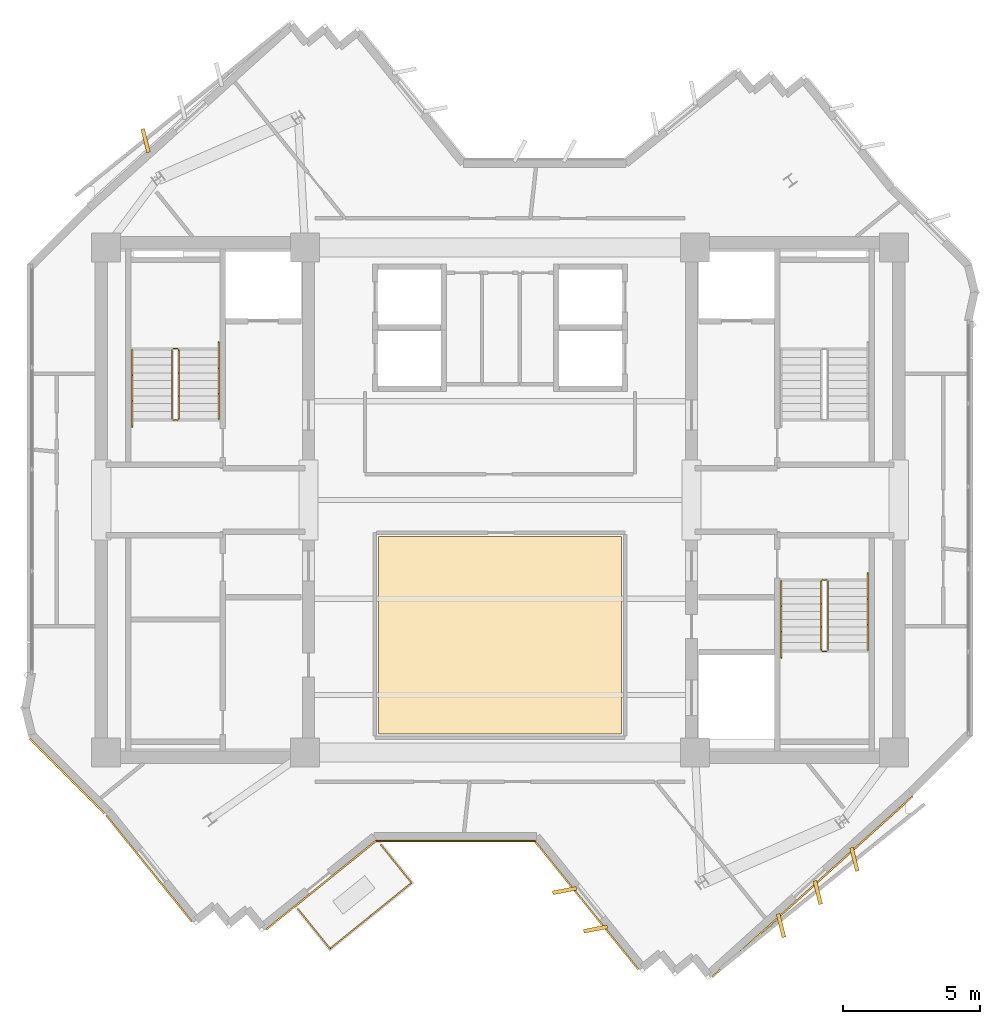
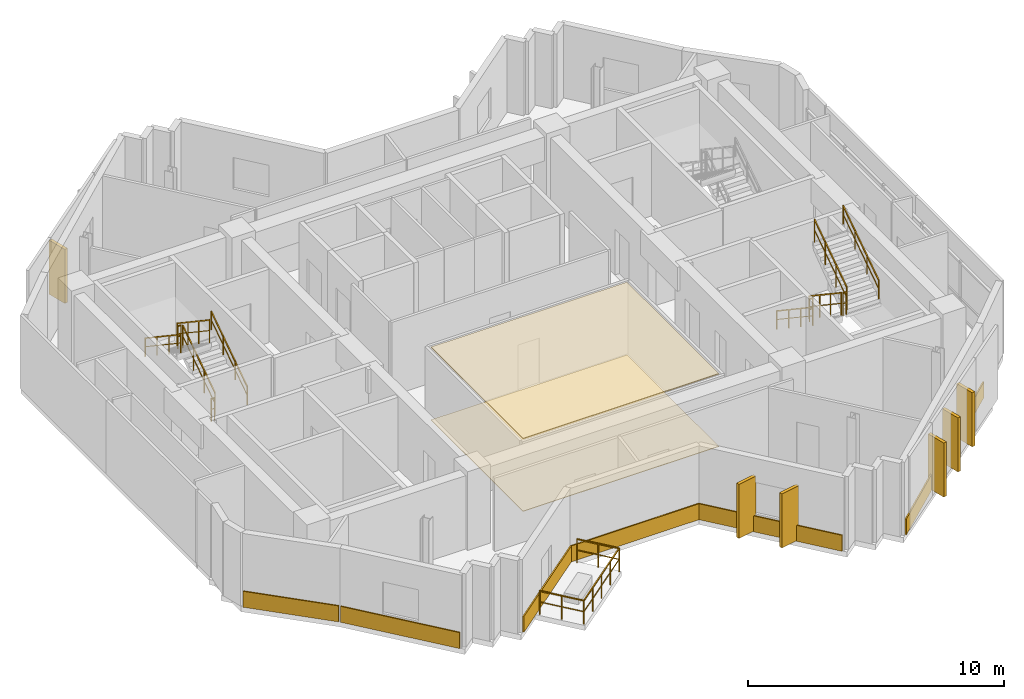
# One storey, part 10 of 11: 15 railings, 14 coverings.
"""IFC4 building model written with IfcOpenShell, lengths in metres."""

from ifc_helpers import new_model, si_unit, direction, frame, origin, origin_2d, place, context, subcontext, project, spatial, polyline, rectangle, outline, extrude, source, transform, mapped, material, layer, layer_set, type_object, element, save


model = new_model("IFC4")

# Units and contexts
model_context = context("Model", 3, precision=1e-05, world=origin(), true_north=direction((0.0, 1.0)))
body_context = subcontext(model_context, "Body", "Model", "MODEL_VIEW")
ifc_project = project(units=[si_unit("LENGTHUNIT", "METRE"), si_unit("AREAUNIT", "SQUARE_METRE"), si_unit("VOLUMEUNIT", "CUBIC_METRE"), si_unit("PLANEANGLEUNIT", "RADIAN"), si_unit("MASSUNIT", "GRAM", prefix="KILO")], contexts=[model_context])

# Site, building, storey
site_placement = place(None, origin())
site = spatial("IfcSite", under=ifc_project, at=site_placement, CompositionType="ELEMENT")
building_placement = place(site_placement, origin())
building = spatial("IfcBuilding", under=site, at=building_placement, Name="Zahravan Cultural Tower", CompositionType="ELEMENT")
storey_placement = place(building_placement, frame((0.0, 0.0, 284.10009765625)))
storey = spatial("IfcBuildingStorey", under=building, at=storey_placement, Name="L68", CompositionType="ELEMENT", Elevation=284.10009765625)

# Coverings
ifc_material_1 = material(Name="Acoustic mineral fibreboard")
ifc_layer_1 = layer(ifc_material_1, 0.0400390625)
ifc_layer_set_1 = layer_set([ifc_layer_1], Name="Acoustic mineral fibreboard")
covering_type_1 = type_object("IfcCoveringType", Name="COV-CEIL-AC20", PredefinedType="CEILING", material=ifc_layer_set_1)
covering_1_placement = place(storey_placement, frame((0.0, 0.0, 3.4599609375)))
element("IfcCovering", 1, at=covering_1_placement, inside=storey, type_object=covering_type_1, Name="L68 Acoustic Suspended Ceiling", PredefinedType="CEILING", context=body_context, shape_type="SweptSolid", body=[
    extrude(outline(polyline([(40.419921875, 25.669921875), (31.580078125, 25.669921875), (31.580078125, 18.47998046875), (40.419921875, 18.47998046875), (40.419921875, 25.669921875)])), origin(), (0.0, 0.0, 1.0), 0.0400390625),
])
ifc_material_2 = material(Name="Terrazzo flooring")
ifc_layer_2 = layer(ifc_material_2, 0.02490234375)
ifc_layer_set_2 = layer_set([ifc_layer_2], Name="Terrazzo flooring")
covering_type_2 = type_object("IfcCoveringType", Name="COV-FLR-TZ25", PredefinedType="FLOORING", material=ifc_layer_set_2)
covering_2_placement = place(storey_placement, origin())
element("IfcCovering", 2, at=covering_2_placement, inside=storey, type_object=covering_type_2, Name="L68 Polished Terrazzo Flooring", PredefinedType="FLOORING", context=body_context, shape_type="SweptSolid", body=[
    extrude(outline(polyline([(40.419921875, 25.669921875), (31.580078125, 25.669921875), (31.580078125, 18.47998046875), (40.419921875, 18.47998046875), (40.419921875, 25.669921875)])), origin(), (0.0, 0.0, 1.0), 0.02490234375),
])

# Railings
ifc_material_3 = material(Name="Steel ASTM A572 Grade 50", Category="steel")
railing_type_1 = type_object("IfcRailingType", Name="RL-BAL-1150", PredefinedType="BALUSTRADE", material=ifc_material_3)
railing_1_placement = place(storey_placement, frame((32.7783203125, 13.050048828125, 0.0)))
element("IfcRailing", 3, at=railing_1_placement, inside=storey, type_object=railing_type_1, Name="L68 Edge Balustrade GRD-TR-L68-SW-01", PredefinedType="BALUSTRADE", context=body_context, shape_type="SweptSolid", body=[
    extrude(rectangle(XDim=0.05, YDim=0.05, at=origin_2d()), frame((0.0, 0.0, 1.125), z_axis=(-0.778086541309, -0.628157093595, 0.0), x_axis=(0.628157093595, -0.778086541309, 0.0)), (0.0, 0.0, 1.0), 3.820068359375),
    extrude(rectangle(XDim=0.032, YDim=0.032, at=origin_2d()), frame((0.0, 0.0, 0.597900390625), z_axis=(-0.778086541309, -0.628157093595, 0.0), x_axis=(0.628157093595, -0.778086541309, 0.0)), (0.0, 0.0, 1.0), 3.820068359375),
    extrude(rectangle(XDim=0.04, YDim=0.04, at=origin_2d()), origin(), (0.0, 0.0, 1.0), 1.14990234375),
    extrude(rectangle(XDim=0.04, YDim=0.04, at=origin_2d()), frame((-0.7431640625, -0.599853515625, 0.0)), (0.0, 0.0, 1.0), 1.14990234375),
    extrude(rectangle(XDim=0.04, YDim=0.04, at=origin_2d()), frame((-1.486328125, -1.19970703125, 0.0)), (0.0, 0.0, 1.0), 1.14990234375),
    extrude(rectangle(XDim=0.04, YDim=0.04, at=origin_2d()), frame((-2.229248046875, -1.7998046875, 0.0)), (0.0, 0.0, 1.0), 1.14990234375),
    extrude(rectangle(XDim=0.04, YDim=0.04, at=origin_2d()), frame((-2.972412109375, -2.399658203125, 0.0)), (0.0, 0.0, 1.0), 1.14990234375),
])
railing_2_placement = place(storey_placement, frame((29.805908203125, 10.650390625, 0.0)))
element("IfcRailing", 4, at=railing_2_placement, inside=storey, type_object=railing_type_1, Name="L68 Edge Balustrade GRD-TR-L68-SW-02", PredefinedType="BALUSTRADE", context=body_context, shape_type="SweptSolid", body=[
    extrude(rectangle(XDim=0.05, YDim=0.05, at=origin_2d()), frame((0.0, 0.0, 1.125), z_axis=(-0.628229578513, 0.778028017928, 0.0), x_axis=(-0.778028017928, -0.628229578513, 0.0)), (0.0, 0.0, 1.0), 1.849853515625),
    extrude(rectangle(XDim=0.032, YDim=0.032, at=origin_2d()), frame((0.0, 0.0, 0.597900390625), z_axis=(-0.628229578513, 0.778028017928, 0.0), x_axis=(-0.778028017928, -0.628229578513, 0.0)), (0.0, 0.0, 1.0), 1.849853515625),
    extrude(rectangle(XDim=0.04, YDim=0.04, at=origin_2d()), origin(), (0.0, 0.0, 1.0), 1.14990234375),
    extrude(rectangle(XDim=0.04, YDim=0.04, at=origin_2d()), frame((-0.5810546875, 0.7197265625, 0.0)), (0.0, 0.0, 1.0), 1.14990234375),
    extrude(rectangle(XDim=0.04, YDim=0.04, at=origin_2d()), frame((-1.162109375, 1.439208984375, 0.0)), (0.0, 0.0, 1.0), 1.14990234375),
])
railing_3_placement = place(storey_placement, frame((31.672119140625, 14.419921875, 0.0)))
element("IfcRailing", 5, at=railing_3_placement, inside=storey, type_object=railing_type_1, Name="L68 Edge Balustrade GRD-TR-L68-SW-03", PredefinedType="BALUSTRADE", context=body_context, shape_type="SweptSolid", body=[
    extrude(rectangle(XDim=0.05, YDim=0.05, at=origin_2d()), frame((0.0, 0.0, 1.125), z_axis=(0.628256416803, -0.778006346211, 0.0), x_axis=(0.778006346211, 0.628256416803, 0.0)), (0.0, 0.0, 1.0), 1.7607421875),
    extrude(rectangle(XDim=0.032, YDim=0.032, at=origin_2d()), frame((0.0, 0.0, 0.597900390625), z_axis=(0.628256416803, -0.778006346211, 0.0), x_axis=(0.778006346211, 0.628256416803, 0.0)), (0.0, 0.0, 1.0), 1.7607421875),
    extrude(rectangle(XDim=0.04, YDim=0.04, at=origin_2d()), origin(), (0.0, 0.0, 1.0), 1.14990234375),
    extrude(rectangle(XDim=0.04, YDim=0.04, at=origin_2d()), frame((0.55322265625, -0.68505859375, 0.0)), (0.0, 0.0, 1.0), 1.14990234375),
    extrude(rectangle(XDim=0.04, YDim=0.04, at=origin_2d()), frame((1.106201171875, -1.369873046875, 0.0)), (0.0, 0.0, 1.0), 1.14990234375),
])
railing_type_2 = type_object("IfcRailingType", Name="RL-STAIR-GRD1150", PredefinedType="BALUSTRADE", material=ifc_material_3)
railing_4_placement = place(storey_placement, frame((24.300048828125, 29.949951171875, 0.1875)))
element("IfcRailing", 6, at=railing_4_placement, inside=storey, type_object=railing_type_2, Name="L68 ST-W1 stair guard 1", PredefinedType="BALUSTRADE", context=body_context, shape_type="SweptSolid", body=[
    extrude(rectangle(XDim=0.05, YDim=0.05, at=origin_2d()), frame((0.0, 0.0, 1.0751953125), z_axis=(0.0, 0.830909170722, 0.55640807867), x_axis=(-1.0, 0.0, 0.0)), (0.0, 0.0, 1.0), 3.032958984375),
    extrude(rectangle(XDim=0.032, YDim=0.032, at=origin_2d()), frame((0.0, 0.0, 0.572021484375), z_axis=(0.0, 0.830909170722, 0.55640807867), x_axis=(-1.0, 0.0, 0.0)), (0.0, 0.0, 1.0), 3.032958984375),
    extrude(rectangle(XDim=0.04, YDim=0.04, at=origin_2d()), origin(), (0.0, 0.0, 1.0), 1.10009765625),
    extrude(rectangle(XDim=0.04, YDim=0.04, at=origin_2d()), frame((0.0, 0.840087890625, 0.5625)), (0.0, 0.0, 1.0), 1.10009765625),
    extrude(rectangle(XDim=0.04, YDim=0.04, at=origin_2d()), frame((0.0, 1.679931640625, 1.125)), (0.0, 0.0, 1.0), 1.10009765625),
    extrude(rectangle(XDim=0.04, YDim=0.04, at=origin_2d()), frame((0.0, 2.52001953125, 1.6875)), (0.0, 0.0, 1.0), 1.10009765625),
])
railing_5_placement = place(storey_placement, frame((24.25, 32.52001953125, 1.875)))
element("IfcRailing", 7, at=railing_5_placement, inside=storey, type_object=railing_type_2, Name="L68 ST-W1 stair guard 2", PredefinedType="BALUSTRADE", context=body_context, shape_type="SweptSolid", body=[
    extrude(rectangle(XDim=0.05, YDim=0.05, at=origin_2d()), frame((0.0, 0.0, 1.0751953125), z_axis=(-1.0, 0.0, 0.0), x_axis=(0.0, -1.0, 0.0)), (0.0, 0.0, 1.0), 0.14990234375),
    extrude(rectangle(XDim=0.032, YDim=0.032, at=origin_2d()), frame((0.0, 0.0, 0.572021484375), z_axis=(-1.0, 0.0, 0.0), x_axis=(0.0, -1.0, 0.0)), (0.0, 0.0, 1.0), 0.14990234375),
    extrude(rectangle(XDim=0.04, YDim=0.04, at=origin_2d()), origin(), (0.0, 0.0, 1.0), 1.10009765625),
    extrude(rectangle(XDim=0.04, YDim=0.04, at=origin_2d()), frame((-0.14990234375, 0.0, 0.0)), (0.0, 0.0, 1.0), 1.10009765625),
])
railing_6_placement = place(storey_placement, frame((24.050048828125, 32.469970703125, 2.0625)))
element("IfcRailing", 8, at=railing_6_placement, inside=storey, type_object=railing_type_2, Name="L68 ST-W1 stair guard 3", PredefinedType="BALUSTRADE", context=body_context, shape_type="SweptSolid", body=[
    extrude(rectangle(XDim=0.05, YDim=0.05, at=origin_2d()), frame((0.0, 0.0, 1.0751953125), z_axis=(0.0, -0.830909170722, 0.55640807867), x_axis=(1.0, 0.0, 0.0)), (0.0, 0.0, 1.0), 3.032958984375),
    extrude(rectangle(XDim=0.032, YDim=0.032, at=origin_2d()), frame((0.0, 0.0, 0.572021484375), z_axis=(0.0, -0.830909170722, 0.55640807867), x_axis=(1.0, 0.0, 0.0)), (0.0, 0.0, 1.0), 3.032958984375),
    extrude(rectangle(XDim=0.04, YDim=0.04, at=origin_2d()), origin(), (0.0, 0.0, 1.0), 1.10009765625),
    extrude(rectangle(XDim=0.04, YDim=0.04, at=origin_2d()), frame((0.0, -0.840087890625, 0.5625)), (0.0, 0.0, 1.0), 1.10009765625),
    extrude(rectangle(XDim=0.04, YDim=0.04, at=origin_2d()), frame((0.0, -1.679931640625, 1.125)), (0.0, 0.0, 1.0), 1.10009765625),
    extrude(rectangle(XDim=0.04, YDim=0.04, at=origin_2d()), frame((0.0, -2.52001953125, 1.6875)), (0.0, 0.0, 1.0), 1.10009765625),
])
railing_7_placement = place(storey_placement, frame((24.25, 29.89990234375, 0.0)))
element("IfcRailing", 9, at=railing_7_placement, inside=storey, type_object=railing_type_2, Name="L68 ST-W1 stair guard 4", PredefinedType="BALUSTRADE", context=body_context, shape_type="SweptSolid", body=[
    extrude(rectangle(XDim=0.05, YDim=0.05, at=origin_2d()), frame((0.0, 0.0, 1.0751953125), z_axis=(-1.0, 0.0, 0.0), x_axis=(0.0, -1.0, 0.0)), (0.0, 0.0, 1.0), 0.14990234375),
    extrude(rectangle(XDim=0.032, YDim=0.032, at=origin_2d()), frame((0.0, 0.0, 0.572021484375), z_axis=(-1.0, 0.0, 0.0), x_axis=(0.0, -1.0, 0.0)), (0.0, 0.0, 1.0), 0.14990234375),
    extrude(rectangle(XDim=0.04, YDim=0.04, at=origin_2d()), origin(), (0.0, 0.0, 1.0), 1.10009765625),
    extrude(rectangle(XDim=0.04, YDim=0.04, at=origin_2d()), frame((-0.14990234375, 0.0, 0.0)), (0.0, 0.0, 1.0), 1.10009765625),
])
railing_8_placement = place(storey_placement, frame((47.699951171875, 24.050048828125, 0.1875)))
element("IfcRailing", 10, at=railing_8_placement, inside=storey, type_object=railing_type_2, Name="L68 ST-E2 stair guard 1", PredefinedType="BALUSTRADE", context=body_context, shape_type="SweptSolid", body=[
    extrude(rectangle(XDim=0.05, YDim=0.05, at=origin_2d()), frame((0.0, 0.0, 1.0751953125), z_axis=(0.0, -0.830909170722, 0.55640807867), x_axis=(1.0, 0.0, 0.0)), (0.0, 0.0, 1.0), 3.032958984375),
    extrude(rectangle(XDim=0.032, YDim=0.032, at=origin_2d()), frame((0.0, 0.0, 0.572021484375), z_axis=(0.0, -0.830909170722, 0.55640807867), x_axis=(1.0, 0.0, 0.0)), (0.0, 0.0, 1.0), 3.032958984375),
    extrude(rectangle(XDim=0.04, YDim=0.04, at=origin_2d()), origin(), (0.0, 0.0, 1.0), 1.10009765625),
    extrude(rectangle(XDim=0.04, YDim=0.04, at=origin_2d()), frame((0.0, -0.840087890625, 0.5625)), (0.0, 0.0, 1.0), 1.10009765625),
    extrude(rectangle(XDim=0.04, YDim=0.04, at=origin_2d()), frame((0.0, -1.679931640625, 1.125)), (0.0, 0.0, 1.0), 1.10009765625),
    extrude(rectangle(XDim=0.04, YDim=0.04, at=origin_2d()), frame((0.0, -2.52001953125, 1.6875)), (0.0, 0.0, 1.0), 1.10009765625),
])
railing_9_placement = place(storey_placement, frame((47.75, 21.47998046875, 1.875)))
element("IfcRailing", 11, at=railing_9_placement, inside=storey, type_object=railing_type_2, Name="L68 ST-E2 stair guard 2", PredefinedType="BALUSTRADE", context=body_context, shape_type="SweptSolid", body=[
    extrude(rectangle(XDim=0.05, YDim=0.05, at=origin_2d()), frame((0.0, 0.0, 1.0751953125), z_axis=(1.0, 0.0, 0.0), x_axis=(0.0, 1.0, 0.0)), (0.0, 0.0, 1.0), 0.14990234375),
    extrude(rectangle(XDim=0.032, YDim=0.032, at=origin_2d()), frame((0.0, 0.0, 0.572021484375), z_axis=(1.0, 0.0, 0.0), x_axis=(0.0, 1.0, 0.0)), (0.0, 0.0, 1.0), 0.14990234375),
    extrude(rectangle(XDim=0.04, YDim=0.04, at=origin_2d()), origin(), (0.0, 0.0, 1.0), 1.10009765625),
    extrude(rectangle(XDim=0.04, YDim=0.04, at=origin_2d()), frame((0.14990234375, 0.0, 0.0)), (0.0, 0.0, 1.0), 1.10009765625),
])
railing_10_placement = place(storey_placement, frame((47.949951171875, 21.530029296875, 2.0625)))
element("IfcRailing", 12, at=railing_10_placement, inside=storey, type_object=railing_type_2, Name="L68 ST-E2 stair guard 3", PredefinedType="BALUSTRADE", context=body_context, shape_type="SweptSolid", body=[
    extrude(rectangle(XDim=0.05, YDim=0.05, at=origin_2d()), frame((0.0, 0.0, 1.0751953125), z_axis=(0.0, 0.830909170722, 0.55640807867), x_axis=(-1.0, 0.0, 0.0)), (0.0, 0.0, 1.0), 3.032958984375),
    extrude(rectangle(XDim=0.032, YDim=0.032, at=origin_2d()), frame((0.0, 0.0, 0.572021484375), z_axis=(0.0, 0.830909170722, 0.55640807867), x_axis=(-1.0, 0.0, 0.0)), (0.0, 0.0, 1.0), 3.032958984375),
    extrude(rectangle(XDim=0.04, YDim=0.04, at=origin_2d()), origin(), (0.0, 0.0, 1.0), 1.10009765625),
    extrude(rectangle(XDim=0.04, YDim=0.04, at=origin_2d()), frame((0.0, 0.840087890625, 0.5625)), (0.0, 0.0, 1.0), 1.10009765625),
    extrude(rectangle(XDim=0.04, YDim=0.04, at=origin_2d()), frame((0.0, 1.679931640625, 1.125)), (0.0, 0.0, 1.0), 1.10009765625),
    extrude(rectangle(XDim=0.04, YDim=0.04, at=origin_2d()), frame((0.0, 2.52001953125, 1.6875)), (0.0, 0.0, 1.0), 1.10009765625),
])
railing_11_placement = place(storey_placement, frame((47.75, 24.10009765625, 0.0)))
element("IfcRailing", 13, at=railing_11_placement, inside=storey, type_object=railing_type_2, Name="L68 ST-E2 stair guard 4", PredefinedType="BALUSTRADE", context=body_context, shape_type="SweptSolid", body=[
    extrude(rectangle(XDim=0.05, YDim=0.05, at=origin_2d()), frame((0.0, 0.0, 1.0751953125), z_axis=(1.0, 0.0, 0.0), x_axis=(0.0, 1.0, 0.0)), (0.0, 0.0, 1.0), 0.14990234375),
    extrude(rectangle(XDim=0.032, YDim=0.032, at=origin_2d()), frame((0.0, 0.0, 0.572021484375), z_axis=(1.0, 0.0, 0.0), x_axis=(0.0, 1.0, 0.0)), (0.0, 0.0, 1.0), 0.14990234375),
    extrude(rectangle(XDim=0.04, YDim=0.04, at=origin_2d()), origin(), (0.0, 0.0, 1.0), 1.10009765625),
    extrude(rectangle(XDim=0.04, YDim=0.04, at=origin_2d()), frame((0.14990234375, 0.0, 0.0)), (0.0, 0.0, 1.0), 1.10009765625),
])
railing_type_3 = type_object("IfcRailingType", Name="RL-STAIR-HR900", PredefinedType="HANDRAIL", material=ifc_material_3)
railing_12_placement = place(storey_placement, frame((25.75, 29.949951171875, 0.1875)))
element("IfcRailing", 14, at=railing_12_placement, inside=storey, type_object=railing_type_3, Name="L68 ST-W1 stair handrail 1", PredefinedType="HANDRAIL", context=body_context, shape_type="SweptSolid", body=[
    extrude(rectangle(XDim=0.05, YDim=0.05, at=origin_2d()), frame((0.0, 0.0, 0.875), z_axis=(0.0, 0.830911662861, 0.55640435703), x_axis=(-1.0, 0.0, 0.0)), (0.0, 0.0, 1.0), 3.369873046875),
    extrude(rectangle(XDim=0.032, YDim=0.032, at=origin_2d()), frame((0.0, 0.0, 0.468017578125), z_axis=(0.0, 0.830911662861, 0.55640435703), x_axis=(-1.0, 0.0, 0.0)), (0.0, 0.0, 1.0), 3.369873046875),
    extrude(rectangle(XDim=0.04, YDim=0.04, at=origin_2d()), origin(), (0.0, 0.0, 1.0), 0.89990234375),
    extrude(rectangle(XDim=0.04, YDim=0.04, at=origin_2d()), frame((0.0, 0.933349609375, 0.625)), (0.0, 0.0, 1.0), 0.89990234375),
    extrude(rectangle(XDim=0.04, YDim=0.04, at=origin_2d()), frame((0.0, 1.86669921875, 1.25)), (0.0, 0.0, 1.0), 0.89990234375),
    extrude(rectangle(XDim=0.04, YDim=0.04, at=origin_2d()), frame((0.0, 2.800048828125, 1.875)), (0.0, 0.0, 1.0), 0.89990234375),
])
for number, where, name in (
    (15, (22.60009765625, 32.469970703125, 2.0625), "L68 ST-W1 stair handrail 2"),
    (16, (46.25, 24.050048828125, 0.1875), "L68 ST-E2 stair handrail 1"),
):
    element("IfcRailing", number, at=place(storey_placement, frame(where)), inside=storey, type_object=railing_type_3, Name=name, PredefinedType="HANDRAIL", context=body_context, shape_type="SweptSolid", body=[
        extrude(rectangle(XDim=0.05, YDim=0.05, at=origin_2d()), frame((0.0, 0.0, 0.875), z_axis=(0.0, -0.830911662861, 0.55640435703), x_axis=(1.0, 0.0, 0.0)), (0.0, 0.0, 1.0), 3.369873046875),
        extrude(rectangle(XDim=0.032, YDim=0.032, at=origin_2d()), frame((0.0, 0.0, 0.468017578125), z_axis=(0.0, -0.830911662861, 0.55640435703), x_axis=(1.0, 0.0, 0.0)), (0.0, 0.0, 1.0), 3.369873046875),
        extrude(rectangle(XDim=0.04, YDim=0.04, at=origin_2d()), origin(), (0.0, 0.0, 1.0), 0.89990234375),
        extrude(rectangle(XDim=0.04, YDim=0.04, at=origin_2d()), frame((0.0, -0.933349609375, 0.625)), (0.0, 0.0, 1.0), 0.89990234375),
        extrude(rectangle(XDim=0.04, YDim=0.04, at=origin_2d()), frame((0.0, -1.86669921875, 1.25)), (0.0, 0.0, 1.0), 0.89990234375),
        extrude(rectangle(XDim=0.04, YDim=0.04, at=origin_2d()), frame((0.0, -2.800048828125, 1.875)), (0.0, 0.0, 1.0), 0.89990234375),
    ])
railing_13_placement = place(storey_placement, frame((49.39990234375, 21.530029296875, 2.0625)))
element("IfcRailing", 17, at=railing_13_placement, inside=storey, type_object=railing_type_3, Name="L68 ST-E2 stair handrail 2", PredefinedType="HANDRAIL", context=body_context, shape_type="SweptSolid", body=[
    extrude(rectangle(XDim=0.05, YDim=0.05, at=origin_2d()), frame((0.0, 0.0, 0.875), z_axis=(0.0, 0.830911662861, 0.55640435703), x_axis=(-1.0, 0.0, 0.0)), (0.0, 0.0, 1.0), 3.369873046875),
    extrude(rectangle(XDim=0.032, YDim=0.032, at=origin_2d()), frame((0.0, 0.0, 0.468017578125), z_axis=(0.0, 0.830911662861, 0.55640435703), x_axis=(-1.0, 0.0, 0.0)), (0.0, 0.0, 1.0), 3.369873046875),
    extrude(rectangle(XDim=0.04, YDim=0.04, at=origin_2d()), origin(), (0.0, 0.0, 1.0), 0.89990234375),
    extrude(rectangle(XDim=0.04, YDim=0.04, at=origin_2d()), frame((0.0, 0.933349609375, 0.625)), (0.0, 0.0, 1.0), 0.89990234375),
    extrude(rectangle(XDim=0.04, YDim=0.04, at=origin_2d()), frame((0.0, 1.86669921875, 1.25)), (0.0, 0.0, 1.0), 0.89990234375),
    extrude(rectangle(XDim=0.04, YDim=0.04, at=origin_2d()), frame((0.0, 2.800048828125, 1.875)), (0.0, 0.0, 1.0), 0.89990234375),
])

# Coverings
ifc_material_4 = material(Name="Terracotta ceramic cladding", Category="masonry")
ifc_layer_3 = layer(ifc_material_4, 0.06005859375)
ifc_layer_set_3 = layer_set([ifc_layer_3], Name="Terracotta ceramic cladding")
covering_type_3 = type_object("IfcCoveringType", Name="COV-CLAD-TC60", PredefinedType="CLADDING", material=ifc_layer_set_3)
shared_shape_1 = source(origin(), body_context, "Body", "SweptSolid", [
    extrude(rectangle(XDim=0.8798828125, YDim=0.139892578125, at=origin_2d()), origin(), (0.0, 0.0, 1.0), 2.580078125),
])
for number, where, z_axis, x_axis, name in (
    (18, (23.0869140625, 40.09375, 0.0498046875), (0.0, 0.0, 1.0), (-0.242751614931, 0.970088477124, 0.0), "L68 Herringbone Terracotta Fin 01"),
    (19, (48.9130859375, 13.90625, 0.0498046875), (0.0, 0.0, 1.0), (0.242751614931, -0.970088477124, 0.0), "L68 Herringbone Terracotta Fin 13"),
    (20, (47.57666015625, 12.70068359375, 0.0498046875), (0.0, 0.0, 1.0), (0.242751614931, -0.970088477124, 0.0), "L68 Herringbone Terracotta Fin 14"),
    (21, (46.239990234375, 11.4951171875, 0.0498046875), (0.0, 0.0, 1.0), (0.242751614931, -0.970088477124, 0.0), "L68 Herringbone Terracotta Fin 15"),
    (22, (39.482421875, 11.368408203125, 0.0498046875), (0.0, 0.0, 1.0), (-0.981902563727, -0.189386787677, 0.0), "L68 Herringbone Terracotta Fin 16"),
    (23, (38.351806640625, 12.768798828125, 0.0498046875), (0.0, 0.0, 1.0), (-0.981902563727, -0.189386787677, 0.0), "L68 Herringbone Terracotta Fin 17"),
):
    element("IfcCovering", number, at=place(storey_placement, frame(where, z_axis=z_axis, x_axis=x_axis)), inside=storey, type_object=covering_type_3, Name=name, PredefinedType="CLADDING", context=body_context, shape_type="MappedRepresentation", body=[
        mapped(shared_shape_1, transform((0.0, 0.0, 0.0), x_axis=(1.0, 0.0, 0.0), y_axis=(0.0, 1.0, 0.0), z_axis=(0.0, 0.0, 1.0), scale=1.0)),
    ])
shared_shape_2 = source(origin(), body_context, "Body", "SweptSolid", [
    extrude(rectangle(XDim=9.8349609375, YDim=0.06005859375, at=origin_2d()), origin(), (0.0, 0.0, 1.0), 0.760009765625),
])
covering_3_placement = place(storey_placement, frame((47.3857421875, 12.912353515625, 0.02001953125), z_axis=(0.0, 0.0, 1.0), x_axis=(-0.742572305706, -0.669765907462, 0.0)))
element("IfcCovering", 24, at=covering_3_placement, inside=storey, type_object=covering_type_3, Name="L68 Terracotta Spandrel Cladding 19", PredefinedType="CLADDING", context=body_context, shape_type="MappedRepresentation", body=[
    mapped(shared_shape_2, transform((0.0, 0.0, 0.0), x_axis=(1.0, 0.0, 0.0), y_axis=(0.0, 1.0, 0.0), z_axis=(0.0, 0.0, 1.0), scale=1.0)),
])
shared_shape_3 = source(origin(), body_context, "Body", "SweptSolid", [
    extrude(rectangle(XDim=6.0400390625, YDim=0.06005859375, at=origin_2d()), origin(), (0.0, 0.0, 1.0), 0.760009765625),
])
covering_4_placement = place(storey_placement, frame((39.138916015625, 12.247802734375, 0.02001953125), z_axis=(0.0, 0.0, 1.0), x_axis=(-0.628193939395, 0.778056793883, 0.0)))
element("IfcCovering", 25, at=covering_4_placement, inside=storey, type_object=covering_type_3, Name="L68 Terracotta Spandrel Cladding 24", PredefinedType="CLADDING", context=body_context, shape_type="MappedRepresentation", body=[
    mapped(shared_shape_3, transform((0.0, 0.0, 0.0), x_axis=(1.0, 0.0, 0.0), y_axis=(0.0, 1.0, 0.0), z_axis=(0.0, 0.0, 1.0), scale=1.0)),
])
shared_shape_4 = source(origin(), body_context, "Body", "SweptSolid", [
    extrude(rectangle(XDim=5.82177734375, YDim=0.06005859375, at=origin_2d()), origin(), (0.0, 0.0, 1.0), 0.760009765625),
])
covering_5_placement = place(storey_placement, frame((34.3779296875, 14.574951171875, 0.02001953125), z_axis=(0.0, 0.0, 1.0), x_axis=(-1.0, 0.0, 0.0)))
element("IfcCovering", 26, at=covering_5_placement, inside=storey, type_object=covering_type_3, Name="L68 Terracotta Spandrel Cladding 25", PredefinedType="CLADDING", context=body_context, shape_type="MappedRepresentation", body=[
    mapped(shared_shape_4, transform((0.0, 0.0, 0.0), x_axis=(1.0, 0.0, 0.0), y_axis=(0.0, 1.0, 0.0), z_axis=(0.0, 0.0, 1.0), scale=1.0)),
])
shared_shape_5 = source(origin(), body_context, "Body", "SweptSolid", [
    extrude(rectangle(XDim=5.152587890625, YDim=0.06005859375, at=origin_2d()), origin(), (0.0, 0.0, 1.0), 0.760009765625),
])
covering_6_placement = place(storey_placement, frame((29.477294921875, 12.9619140625, 0.02001953125), z_axis=(0.0, 0.0, 1.0), x_axis=(-0.778056793883, -0.628193939395, 0.0)))
element("IfcCovering", 27, at=covering_6_placement, inside=storey, type_object=covering_type_3, Name="L68 Terracotta Spandrel Cladding 26", PredefinedType="CLADDING", context=body_context, shape_type="MappedRepresentation", body=[
    mapped(shared_shape_5, transform((0.0, 0.0, 0.0), x_axis=(1.0, 0.0, 0.0), y_axis=(0.0, 1.0, 0.0), z_axis=(0.0, 0.0, 1.0), scale=1.0)),
])
shared_shape_6 = source(origin(), body_context, "Body", "SweptSolid", [
    extrude(rectangle(XDim=4.992919921875, YDim=0.06005859375, at=origin_2d()), origin(), (0.0, 0.0, 1.0), 0.760009765625),
])
covering_7_placement = place(storey_placement, frame((23.211669921875, 13.57275390625, 0.02001953125), z_axis=(0.0, 0.0, 1.0), x_axis=(-0.628193939395, 0.778056793883, 0.0)))
element("IfcCovering", 28, at=covering_7_placement, inside=storey, type_object=covering_type_3, Name="L68 Terracotta Spandrel Cladding 31", PredefinedType="CLADDING", context=body_context, shape_type="MappedRepresentation", body=[
    mapped(shared_shape_6, transform((0.0, 0.0, 0.0), x_axis=(1.0, 0.0, 0.0), y_axis=(0.0, 1.0, 0.0), z_axis=(0.0, 0.0, 1.0), scale=1.0)),
])
shared_shape_7 = source(origin(), body_context, "Body", "SweptSolid", [
    extrude(rectangle(XDim=3.860107421875, YDim=0.06005859375, at=origin_2d()), origin(), (0.0, 0.0, 1.0), 0.760009765625),
])
covering_8_placement = place(storey_placement, frame((20.223388671875, 16.941162109375, 0.02001953125), z_axis=(0.0, 0.0, 1.0), x_axis=(-0.707106781187, 0.707106781187, 0.0)))
element("IfcCovering", 29, at=covering_8_placement, inside=storey, type_object=covering_type_3, Name="L68 Terracotta Spandrel Cladding 32", PredefinedType="CLADDING", context=body_context, shape_type="MappedRepresentation", body=[
    mapped(shared_shape_7, transform((0.0, 0.0, 0.0), x_axis=(1.0, 0.0, 0.0), y_axis=(0.0, 1.0, 0.0), z_axis=(0.0, 0.0, 1.0), scale=1.0)),
])

save(model, "model.ifc")
